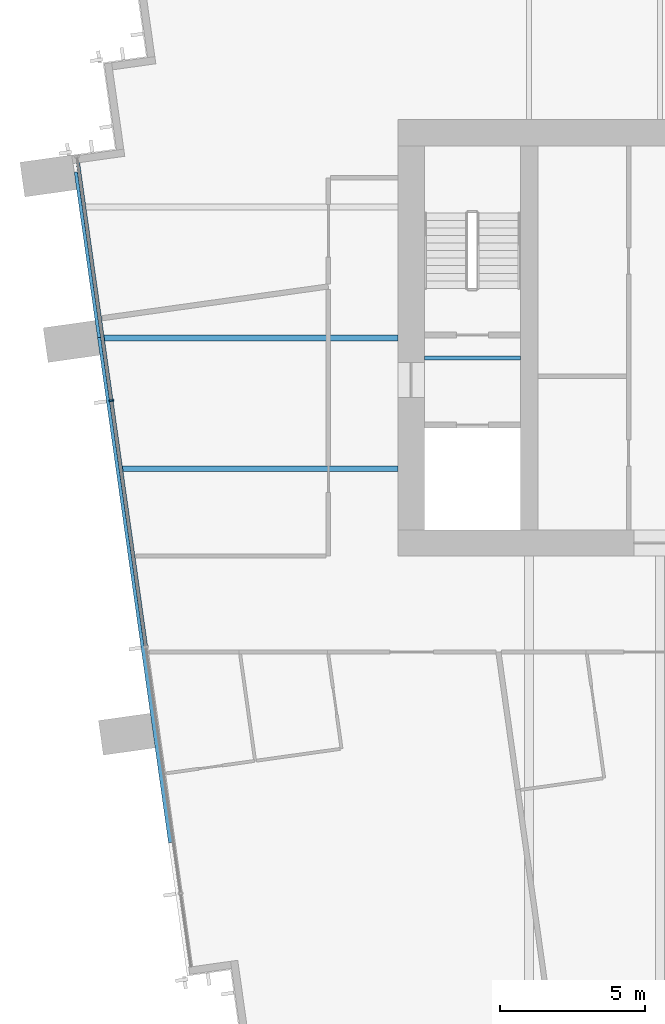
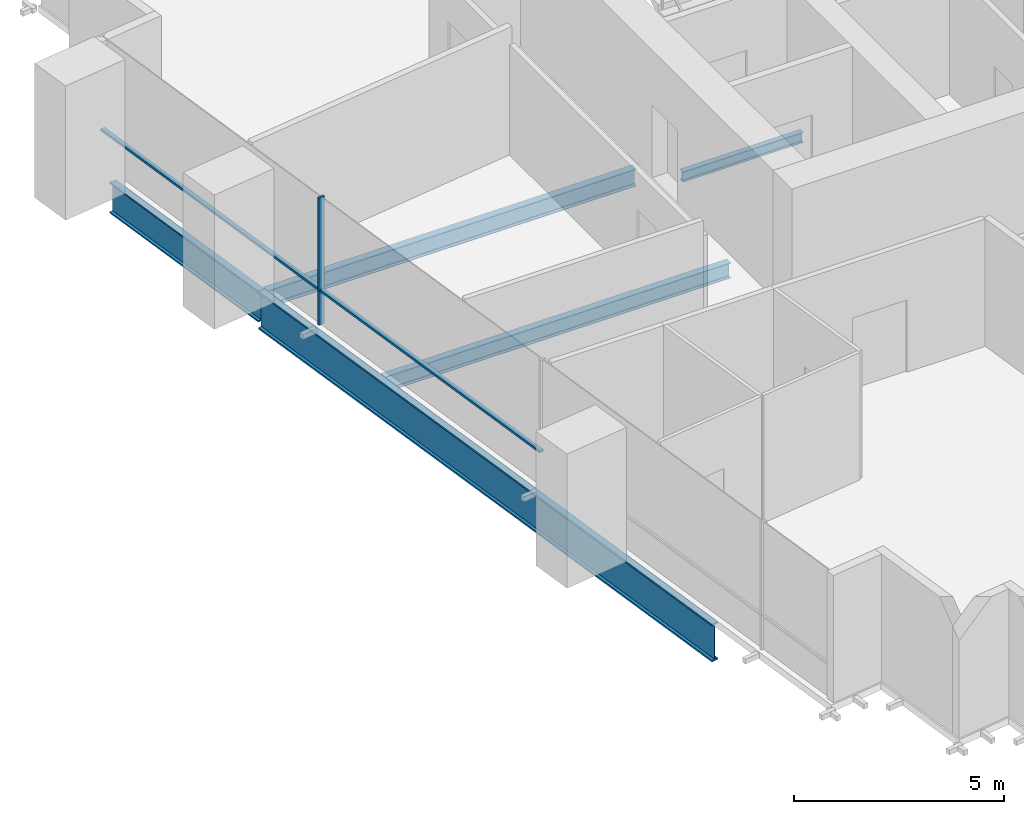
# One storey, part 3 of 14: 5 beams, 3 members, 1 element without a shape of its own.
"""IFC4 building model written with IfcOpenShell, lengths in metres."""

from ifc_helpers import new_model, si_unit, direction, frame, origin, origin_2d, place, context, subcontext, project, spatial, rectangle, i_section, extrude, material, material_profile, profile_set, type_object, element, aggregate, save


model = new_model("IFC4")

# Units and contexts
model_context = context("Model", 3, precision=1e-05, world=origin(), true_north=direction((0.0, 1.0)))
body_context = subcontext(model_context, "Body", "Model", "MODEL_VIEW")
ifc_project = project(units=[si_unit("LENGTHUNIT", "METRE"), si_unit("AREAUNIT", "SQUARE_METRE"), si_unit("VOLUMEUNIT", "CUBIC_METRE"), si_unit("PLANEANGLEUNIT", "RADIAN"), si_unit("MASSUNIT", "GRAM", prefix="KILO")], contexts=[model_context])

# Site, building, storey
site_placement = place(None, origin())
site = spatial("IfcSite", under=ifc_project, at=site_placement, CompositionType="ELEMENT")
building_placement = place(site_placement, origin())
building = spatial("IfcBuilding", under=site, at=building_placement, Name="Rattan Terrace Tower", CompositionType="ELEMENT")
storey_placement = place(building_placement, frame((0.0, 0.0, 195.800048828125)))
storey = spatial("IfcBuildingStorey", under=building, at=storey_placement, Name="L45", CompositionType="ELEMENT", Elevation=195.800048828125)

# Curtain wall, members
ifc_material_1 = material(Name="Aluminium and glass", Category="aluminium")
curtain_wall_type = type_object("IfcCurtainWallType", Name="Facade Unitised Curtain Wall", PredefinedType="NOTDEFINED", material=ifc_material_1)
curtain_wall_placement = place(storey_placement, origin())
curtain_wall = element("IfcCurtainWall", 1, at=curtain_wall_placement, inside=storey, type_object=curtain_wall_type, Name="Curtain wall L45-3", PredefinedType="NOTDEFINED")
ifc_material_2 = material(Name="Aluminium", Category="aluminium")
ifc_material_profile_1 = material_profile(ifc_material_2, rectangle(XDim=0.06005859375, YDim=0.159912109375, at=origin_2d()), Name="Aluminium 60x160")
ifc_profile_set_1 = profile_set([ifc_material_profile_1], Name="Aluminium")
member_type_1 = type_object("IfcMemberType", Name="Facade CW Mullion 60x160", PredefinedType="MULLION", material=ifc_profile_set_1)
member_1_placement = place(storey_placement, frame((-27.857666015625, -2.1591796875, 0.0), z_axis=(0.0, 0.0, 1.0), x_axis=(0.139190856006, -0.99026557327, 0.0)))
member_1 = element("IfcMember", 2, at=member_1_placement, type_object=member_type_1, Name="Mullion cwl-L45-003.2", PredefinedType="MULLION", context=body_context, shape_type="SweptSolid", body=[
    extrude(rectangle(XDim=0.06005859375, YDim=0.159912109375, at=origin_2d()), origin(), (0.0, 0.0, 1.0), 3.699951171875),
])
ifc_material_3 = material(Name="Aluminium", Category="aluminium")
ifc_material_profile_2 = material_profile(ifc_material_3, rectangle(XDim=0.1201171875, YDim=0.06005859375, at=origin_2d()), Name="Aluminium 120x60")
ifc_profile_set_2 = profile_set([ifc_material_profile_2], Name="Aluminium")
member_type_2 = type_object("IfcMemberType", Name="Facade CW Transom 120x60", PredefinedType="USERDEFINED", material=ifc_profile_set_2)
member_2_placement = place(storey_placement, frame((-29.032958984375, 6.20361328125, 1.0), z_axis=(0.139174814558, -0.99026782791, 0.0), x_axis=(0.99026782791, 0.139174814558, 0.0)))
member_2 = element("IfcMember", 3, at=member_2_placement, type_object=member_type_2, Name="Transom cwl-L45-003.1", ObjectType="TRANSOM", PredefinedType="USERDEFINED", context=body_context, shape_type="SweptSolid", body=[
    extrude(rectangle(XDim=0.1201171875, YDim=0.06005859375, at=origin_2d()), origin(), (0.0, 0.0, 1.0), 8.414794921875),
])
member_3_placement = place(storey_placement, frame((-27.853515625, -2.188720703125, 1.0), z_axis=(0.139206806234, -0.990263331189, 0.0), x_axis=(0.990263331189, 0.139206806234, 0.0)))
member_3 = element("IfcMember", 4, at=member_3_placement, type_object=member_type_2, Name="Transom cwl-L45-003.2", ObjectType="TRANSOM", PredefinedType="USERDEFINED", context=body_context, shape_type="SweptSolid", body=[
    extrude(rectangle(XDim=0.1201171875, YDim=0.06005859375, at=origin_2d()), origin(), (0.0, 0.0, 1.0), 8.490234375),
])
aggregate(curtain_wall, [member_1, member_2, member_3])

# Beams
ifc_material_4 = material(Name="Steel S460", Category="steel")
ifc_material_profile_3 = material_profile(ifc_material_4, i_section(OverallWidth=0.179931640625, OverallDepth=1.10009765625, WebThickness=0.01611328125, FlangeThickness=0.050048828125, at=origin_2d()), Name="PG 1100x180-16-50")
ifc_profile_set_3 = profile_set([ifc_material_profile_3], Name="Steel S460")
beam_type_1 = type_object("IfcBeamType", Name="Frame edge girder PG 1100x180-16-50", PredefinedType="SPANDREL", material=ifc_profile_set_3)
beam_1_placement = place(storey_placement, frame((-25.803955078125, -17.347900390625, -0.75), z_axis=(-0.13917502981, 0.990267797657, 0.0), x_axis=(-0.990267797657, -0.13917502981, 0.0)))
element("IfcBeam", 5, at=beam_1_placement, inside=storey, type_object=beam_type_1, Name="gdr-L45-003", PredefinedType="SPANDREL", context=body_context, shape_type="SweptSolid", body=[
    extrude(i_section(OverallWidth=0.179931640625, OverallDepth=1.10009765625, WebThickness=0.01611328125, FlangeThickness=0.050048828125, at=origin_2d()), origin(), (0.0, 0.0, 1.0), 17.531494140625),
])
ifc_material_5 = material(Name="Steel S460", Category="steel")
ifc_material_profile_4 = material_profile(ifc_material_5, i_section(OverallWidth=0.179931640625, OverallDepth=0.89990234375, WebThickness=0.013916015625, FlangeThickness=0.0400390625, at=origin_2d()), Name="PG 900x180-14-40")
ifc_profile_set_4 = profile_set([ifc_material_profile_4], Name="Steel S460")
beam_type_2 = type_object("IfcBeamType", Name="Frame edge girder PG 900x180-14-40", PredefinedType="SPANDREL", material=ifc_profile_set_4)
beam_2_placement = place(storey_placement, frame((-29.0439453125, 5.702880859375, -0.650146484375), z_axis=(0.139237904773, -0.990258958997, 0.0), x_axis=(0.990258958997, 0.139237904773, 0.0)))
element("IfcBeam", 6, at=beam_2_placement, inside=storey, type_object=beam_type_2, Name="gdr-L45-004", PredefinedType="SPANDREL", context=body_context, shape_type="SweptSolid", body=[
    extrude(i_section(OverallWidth=0.179931640625, OverallDepth=0.89990234375, WebThickness=0.013916015625, FlangeThickness=0.0400390625, at=origin_2d()), origin(), (0.0, 0.0, 1.0), 5.745849609375),
])
ifc_material_6 = material(Name="Steel S355", Category="steel")
ifc_material_profile_5 = material_profile(ifc_material_6, i_section(OverallWidth=0.14990234375, OverallDepth=0.300048828125, WebThickness=0.007080078125, FlangeThickness=0.0107421875, FilletRadius=0.014892578125, at=origin_2d()), Name="IPE 300")
ifc_profile_set_5 = profile_set([ifc_material_profile_5], Name="Steel S355")
beam_type_3 = type_object("IfcBeamType", Name="Frame floor beam IPE 300", PredefinedType="JOIST", material=ifc_profile_set_5)
beam_3_placement = place(storey_placement, frame((-17.10009765625, -0.695068359375, -0.35009765625), z_axis=(1.0, 0.0, 0.0), x_axis=(0.0, 1.0, 0.0)))
element("IfcBeam", 7, at=beam_3_placement, inside=storey, type_object=beam_type_3, Name="bm-L45-001", PredefinedType="JOIST", context=body_context, shape_type="SweptSolid", body=[
    extrude(i_section(OverallWidth=0.14990234375, OverallDepth=0.300048828125, WebThickness=0.007080078125, FlangeThickness=0.0107421875, FilletRadius=0.014892578125, at=origin_2d()), origin(), (0.0, 0.0, 1.0), 3.300048828125),
])
ifc_material_7 = material(Name="Steel S355", Category="steel")
ifc_material_profile_6 = material_profile(ifc_material_7, i_section(OverallWidth=0.18994140625, OverallDepth=0.449951171875, WebThickness=0.009521484375, FlangeThickness=0.0146484375, FilletRadius=0.02099609375, at=origin_2d()), Name="IPE 450")
ifc_profile_set_6 = profile_set([ifc_material_profile_6], Name="Steel S355")
beam_type_4 = type_object("IfcBeamType", Name="Frame floor beam IPE 450", PredefinedType="JOIST", material=ifc_profile_set_6)
beam_4_placement = place(storey_placement, frame((-27.5048828125, -4.5, -0.425048828125), z_axis=(1.0, 0.0, 0.0), x_axis=(0.0, 1.0, 0.0)))
element("IfcBeam", 8, at=beam_4_placement, inside=storey, type_object=beam_type_4, Name="bm-L45-010", PredefinedType="JOIST", context=body_context, shape_type="SweptSolid", body=[
    extrude(i_section(OverallWidth=0.18994140625, OverallDepth=0.449951171875, WebThickness=0.009521484375, FlangeThickness=0.0146484375, FilletRadius=0.02099609375, at=origin_2d()), origin(), (0.0, 0.0, 1.0), 9.5048828125),
])
ifc_material_8 = material(Name="Steel S355", Category="steel")
ifc_material_profile_7 = material_profile(ifc_material_8, i_section(OverallWidth=0.199951171875, OverallDepth=0.5, WebThickness=0.01025390625, FlangeThickness=0.01611328125, FilletRadius=0.02099609375, at=origin_2d()), Name="IPE 500")
ifc_profile_set_7 = profile_set([ifc_material_profile_7], Name="Steel S355")
beam_type_5 = type_object("IfcBeamType", Name="Frame floor beam IPE 500", PredefinedType="JOIST", material=ifc_profile_set_7)
beam_5_placement = place(storey_placement, frame((-28.136962890625, 0.0, -0.449951171875), z_axis=(1.0, 0.0, 0.0), x_axis=(0.0, 1.0, 0.0)))
element("IfcBeam", 9, at=beam_5_placement, inside=storey, type_object=beam_type_5, Name="bm-L45-012", PredefinedType="JOIST", context=body_context, shape_type="SweptSolid", body=[
    extrude(i_section(OverallWidth=0.199951171875, OverallDepth=0.5, WebThickness=0.01025390625, FlangeThickness=0.01611328125, FilletRadius=0.02099609375, at=origin_2d()), origin(), (0.0, 0.0, 1.0), 10.136962890625),
])

save(model, "model.ifc")
